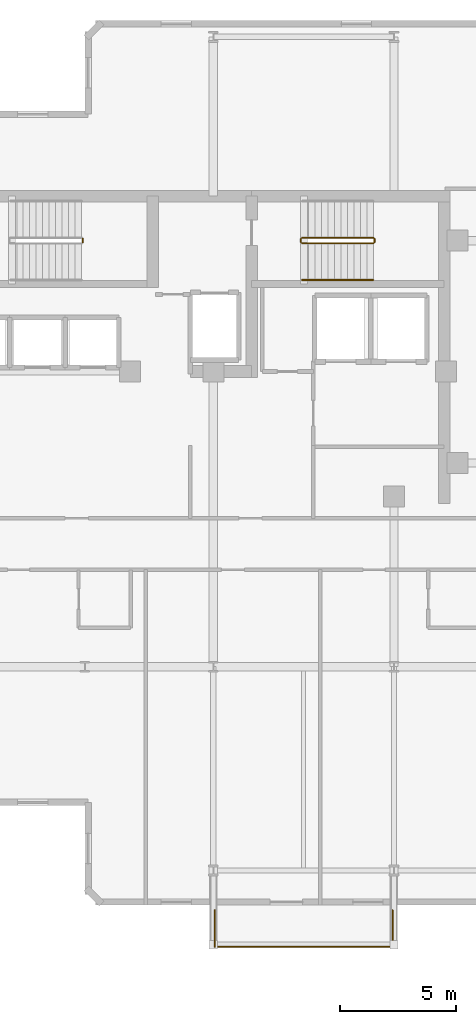
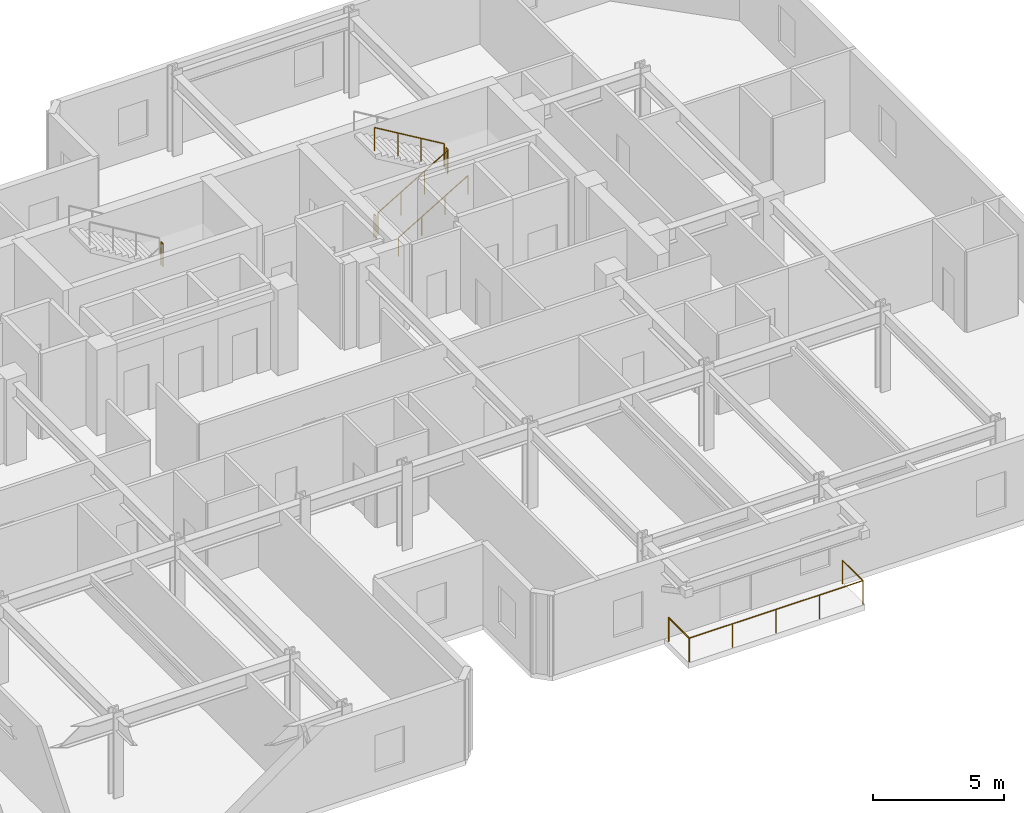
# One storey, part 10 of 11: 8 railings.
"""IFC4 building model written with IfcOpenShell, lengths in metres."""

from ifc_helpers import new_model, si_unit, direction, frame, origin, origin_2d, place, context, subcontext, project, spatial, circle, extrude, material, type_object, element, save


model = new_model("IFC4")

# Units and contexts
model_context = context("Model", 3, precision=1e-05, world=origin(), true_north=direction((0.0, 1.0)))
body_context = subcontext(model_context, "Body", "Model", "MODEL_VIEW")
ifc_project = project(units=[si_unit("LENGTHUNIT", "METRE"), si_unit("AREAUNIT", "SQUARE_METRE"), si_unit("VOLUMEUNIT", "CUBIC_METRE"), si_unit("PLANEANGLEUNIT", "RADIAN"), si_unit("MASSUNIT", "GRAM", prefix="KILO")], contexts=[model_context])

# Site, building, storey
site_placement = place(None, origin())
site = spatial("IfcSite", under=ifc_project, at=site_placement, CompositionType="ELEMENT")
building_placement = place(site_placement, origin())
building = spatial("IfcBuilding", under=site, at=building_placement, Name="Kestravale Grand Hotel", CompositionType="ELEMENT")
storey_placement = place(building_placement, frame((0.0, 0.0, 265.39990234375)))
storey = spatial("IfcBuildingStorey", under=building, at=storey_placement, Name="L66", CompositionType="ELEMENT", Elevation=265.39990234375)

# Railings
ifc_material_1 = material(Name="Champagne-bronze stainless steel and laminated glass guard", Category="steel")
railing_type_1 = type_object("IfcRailingType", Name="RL-EXT-1100", PredefinedType="GUARDRAIL", material=ifc_material_1)
railing_1_placement = place(storey_placement, frame((46.860107421875, 7.909912109375, 0.0)))
element("IfcRailing", 1, at=railing_1_placement, inside=storey, type_object=railing_type_1, Name="L66 outdoor terrace guard 1", PredefinedType="GUARDRAIL", context=body_context, shape_type="SweptSolid", body=[
    extrude(circle(Radius=0.02392578125, at=origin_2d()), frame((0.0, 0.0, 1.09619140625), z_axis=(0.0, 1.0, 0.0), x_axis=(-1.0, 0.0, 0.0)), (0.0, 0.0, 1.0), 1.570068359375),
    extrude(circle(Radius=0.02099609375, at=origin_2d()), origin(), (0.0, 0.0, 1.0), 1.072021484375),
    extrude(circle(Radius=0.02099609375, at=origin_2d()), frame((0.0, 1.570068359375, 0.0)), (0.0, 0.0, 1.0), 1.072021484375),
])
railing_2_placement = place(storey_placement, frame((54.5400390625, 9.47998046875, 0.0)))
element("IfcRailing", 2, at=railing_2_placement, inside=storey, type_object=railing_type_1, Name="L66 outdoor terrace guard 2", PredefinedType="GUARDRAIL", context=body_context, shape_type="SweptSolid", body=[
    extrude(circle(Radius=0.02392578125, at=origin_2d()), frame((0.0, 0.0, 1.09619140625), z_axis=(0.0, -1.0, 0.0), x_axis=(1.0, 0.0, 0.0)), (0.0, 0.0, 1.0), 1.570068359375),
    extrude(circle(Radius=0.02392578125, at=origin_2d()), frame((0.0, -1.570068359375, 1.09619140625), z_axis=(-1.0, 0.0, 0.0), x_axis=(0.0, -1.0, 0.0)), (0.0, 0.0, 1.0), 7.679931640625),
    extrude(circle(Radius=0.02099609375, at=origin_2d()), origin(), (0.0, 0.0, 1.0), 1.072021484375),
    extrude(circle(Radius=0.02099609375, at=origin_2d()), frame((0.0, -1.570068359375, 0.0)), (0.0, 0.0, 1.0), 1.072021484375),
    extrude(circle(Radius=0.02099609375, at=origin_2d()), frame((-1.919921875, -1.570068359375, 0.0)), (0.0, 0.0, 1.0), 1.072021484375),
    extrude(circle(Radius=0.02099609375, at=origin_2d()), frame((-3.83984375, -1.570068359375, 0.0)), (0.0, 0.0, 1.0), 1.072021484375),
    extrude(circle(Radius=0.02099609375, at=origin_2d()), frame((-5.760009765625, -1.570068359375, 0.0)), (0.0, 0.0, 1.0), 1.072021484375),
    extrude(circle(Radius=0.02099609375, at=origin_2d()), frame((-7.679931640625, -1.570068359375, 0.0)), (0.0, 0.0, 1.0), 1.072021484375),
])
ifc_material_2 = material(Name="Painted tubular steel stair well guard", Category="steel")
railing_type_2 = type_object("IfcRailingType", Name="RL-ST-GRD1100", PredefinedType="GUARDRAIL", material=ifc_material_2)
railing_3_placement = place(storey_placement, frame((41.159912109375, 38.330078125, 2.0)))
element("IfcRailing", 3, at=railing_3_placement, inside=storey, type_object=railing_type_2, Name="L66 ST-2 stair guard 2", PredefinedType="GUARDRAIL", context=body_context, shape_type="SweptSolid", body=[
    extrude(circle(Radius=0.02392578125, at=origin_2d()), frame((0.0, 0.0, 1.076171875), z_axis=(0.0, 1.0, 0.0), x_axis=(-1.0, 0.0, 0.0)), (0.0, 0.0, 1.0), 0.14990234375),
    extrude(circle(Radius=0.02099609375, at=origin_2d()), origin(), (0.0, 0.0, 1.0), 1.052001953125),
    extrude(circle(Radius=0.02099609375, at=origin_2d()), frame((0.0, 0.14990234375, 0.0)), (0.0, 0.0, 1.0), 1.052001953125),
])
railing_4_placement = place(storey_placement, frame((50.6298828125, 38.280029296875, 0.166748046875)))
element("IfcRailing", 4, at=railing_4_placement, inside=storey, type_object=railing_type_2, Name="L66 ST-3 stair guard 1", PredefinedType="GUARDRAIL", context=body_context, shape_type="SweptSolid", body=[
    extrude(circle(Radius=0.02392578125, at=origin_2d()), frame((0.0, 0.0, 1.076171875), z_axis=(0.859308565015, 0.0, 0.511457515432), x_axis=(0.0, 1.0, 0.0)), (0.0, 0.0, 1.0), 3.58447265625),
    extrude(circle(Radius=0.02099609375, at=origin_2d()), origin(), (0.0, 0.0, 1.0), 1.052001953125),
    extrude(circle(Radius=0.02099609375, at=origin_2d()), frame((1.026611328125, 0.0, 0.611083984375)), (0.0, 0.0, 1.0), 1.052001953125),
    extrude(circle(Radius=0.02099609375, at=origin_2d()), frame((2.053466796875, 0.0, 1.22216796875)), (0.0, 0.0, 1.0), 1.052001953125),
    extrude(circle(Radius=0.02099609375, at=origin_2d()), frame((3.080078125, 0.0, 1.833251953125)), (0.0, 0.0, 1.0), 1.052001953125),
])
railing_5_placement = place(storey_placement, frame((53.760009765625, 38.330078125, 2.0)))
element("IfcRailing", 5, at=railing_5_placement, inside=storey, type_object=railing_type_2, Name="L66 ST-3 stair guard 2", PredefinedType="GUARDRAIL", context=body_context, shape_type="SweptSolid", body=[
    extrude(circle(Radius=0.02392578125, at=origin_2d()), frame((0.0, 0.0, 1.076171875), z_axis=(0.0, 1.0, 0.0), x_axis=(-1.0, 0.0, 0.0)), (0.0, 0.0, 1.0), 0.14990234375),
    extrude(circle(Radius=0.02099609375, at=origin_2d()), origin(), (0.0, 0.0, 1.0), 1.052001953125),
    extrude(circle(Radius=0.02099609375, at=origin_2d()), frame((0.0, 0.14990234375, 0.0)), (0.0, 0.0, 1.0), 1.052001953125),
])
railing_6_placement = place(storey_placement, frame((53.7099609375, 38.530029296875, 2.166748046875)))
element("IfcRailing", 6, at=railing_6_placement, inside=storey, type_object=railing_type_2, Name="L66 ST-3 stair guard 3", PredefinedType="GUARDRAIL", context=body_context, shape_type="SweptSolid", body=[
    extrude(circle(Radius=0.02392578125, at=origin_2d()), frame((0.0, 0.0, 1.076171875), z_axis=(-0.859308565015, 0.0, 0.511457515432), x_axis=(0.0, -1.0, 0.0)), (0.0, 0.0, 1.0), 3.58447265625),
    extrude(circle(Radius=0.02099609375, at=origin_2d()), origin(), (0.0, 0.0, 1.0), 1.052001953125),
    extrude(circle(Radius=0.02099609375, at=origin_2d()), frame((-1.026611328125, 0.0, 0.611083984375)), (0.0, 0.0, 1.0), 1.052001953125),
    extrude(circle(Radius=0.02099609375, at=origin_2d()), frame((-2.053466796875, 0.0, 1.22216796875)), (0.0, 0.0, 1.0), 1.052001953125),
    extrude(circle(Radius=0.02099609375, at=origin_2d()), frame((-3.080078125, 0.0, 1.833251953125)), (0.0, 0.0, 1.0), 1.052001953125),
])
railing_7_placement = place(storey_placement, frame((50.580078125, 38.330078125, 0.0)))
element("IfcRailing", 7, at=railing_7_placement, inside=storey, type_object=railing_type_2, Name="L66 ST-3 stair guard 4", PredefinedType="GUARDRAIL", context=body_context, shape_type="SweptSolid", body=[
    extrude(circle(Radius=0.02392578125, at=origin_2d()), frame((0.0, 0.0, 1.076171875), z_axis=(0.0, 1.0, 0.0), x_axis=(-1.0, 0.0, 0.0)), (0.0, 0.0, 1.0), 0.14990234375),
    extrude(circle(Radius=0.02099609375, at=origin_2d()), origin(), (0.0, 0.0, 1.0), 1.052001953125),
    extrude(circle(Radius=0.02099609375, at=origin_2d()), frame((0.0, 0.14990234375, 0.0)), (0.0, 0.0, 1.0), 1.052001953125),
])
ifc_material_3 = material(Name="Brushed stainless steel wall handrail", Category="steel")
railing_type_3 = type_object("IfcRailingType", Name="RL-ST-HND900", PredefinedType="HANDRAIL", material=ifc_material_3)
railing_8_placement = place(storey_placement, frame((50.6298828125, 36.699951171875, 0.166748046875)))
element("IfcRailing", 8, at=railing_8_placement, inside=storey, type_object=railing_type_3, Name="L66 ST-3 stair handrail 1", PredefinedType="HANDRAIL", context=body_context, shape_type="SweptSolid", body=[
    extrude(circle(Radius=0.02392578125, at=origin_2d()), frame((0.0, 0.0, 0.8759765625), z_axis=(0.859308565015, 0.0, 0.511457515432), x_axis=(0.0, 1.0, 0.0)), (0.0, 0.0, 1.0), 3.58447265625),
    extrude(circle(Radius=0.02099609375, at=origin_2d()), origin(), (0.0, 0.0, 1.0), 0.851806640625),
    extrude(circle(Radius=0.02099609375, at=origin_2d()), frame((1.026611328125, 0.0, 0.611083984375)), (0.0, 0.0, 1.0), 0.851806640625),
    extrude(circle(Radius=0.02099609375, at=origin_2d()), frame((2.053466796875, 0.0, 1.22216796875)), (0.0, 0.0, 1.0), 0.851806640625),
    extrude(circle(Radius=0.02099609375, at=origin_2d()), frame((3.080078125, 0.0, 1.833251953125)), (0.0, 0.0, 1.0), 0.851806640625),
])

save(model, "model.ifc")
